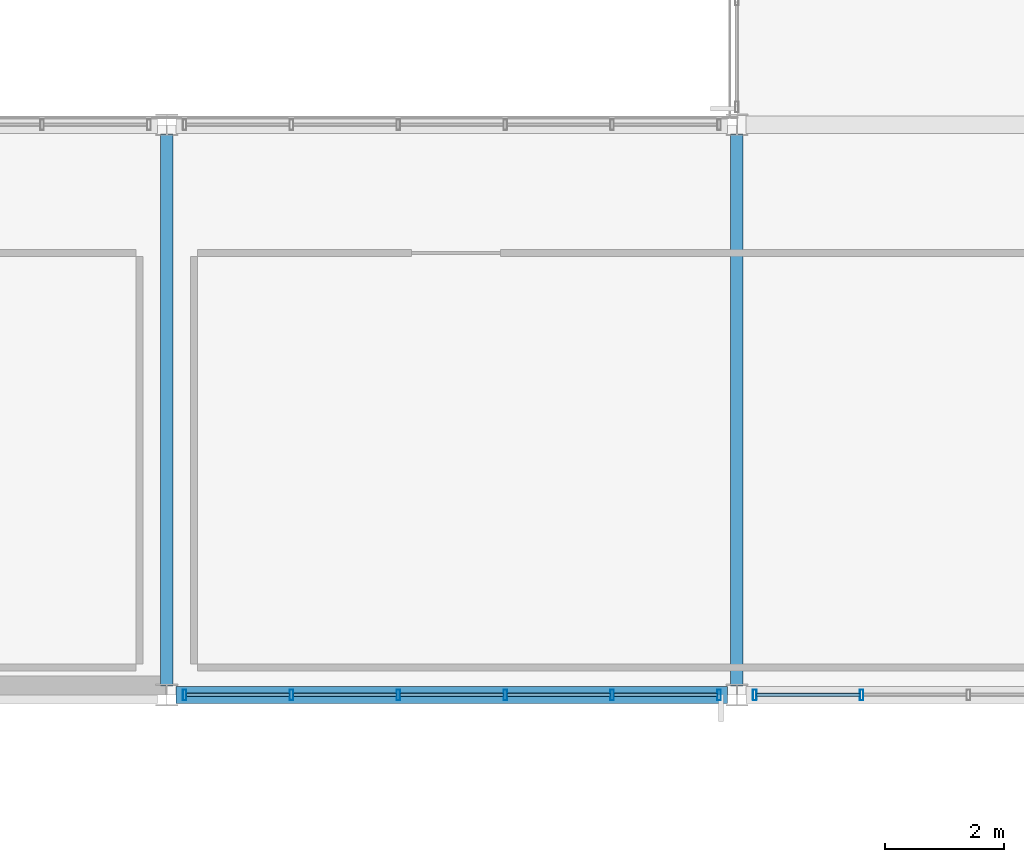
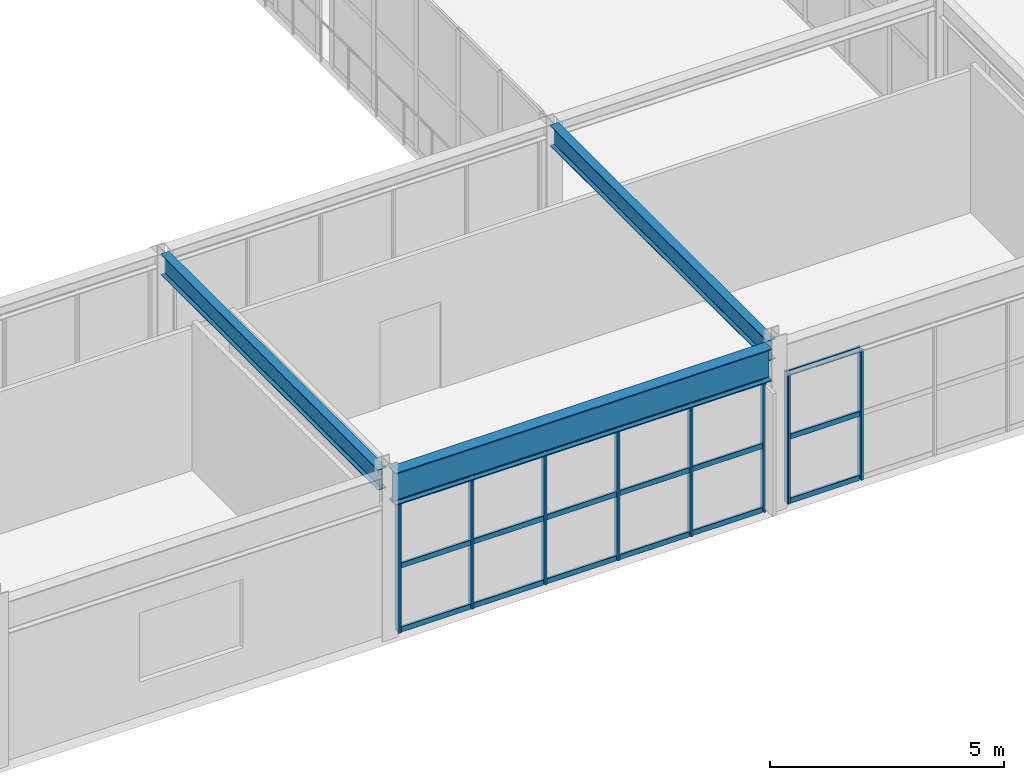
# One storey, part 76 of 170: 26 members, 3 beams, 2 elements without a shape of their own.
"""IFC4 building model written with IfcOpenShell, lengths in metres."""

from ifc_helpers import new_model, si_unit, direction, frame, origin, origin_2d, place, context, subcontext, project, spatial, hollow_rectangle, i_section, extrude, material, material_profile, profile_set, type_object, element, aggregate, save


model = new_model("IFC4")

# Units and contexts
model_context = context("Model", 3, precision=1e-05, world=origin(), true_north=direction((0.0, 1.0)))
body_context = subcontext(model_context, "Body", "Model", "MODEL_VIEW")
ifc_project = project(units=[si_unit("LENGTHUNIT", "METRE"), si_unit("AREAUNIT", "SQUARE_METRE"), si_unit("VOLUMEUNIT", "CUBIC_METRE"), si_unit("PLANEANGLEUNIT", "RADIAN"), si_unit("MASSUNIT", "GRAM", prefix="KILO")], contexts=[model_context])

# Site, building, storey
site_placement = place(None, origin())
site = spatial("IfcSite", under=ifc_project, at=site_placement, CompositionType="ELEMENT")
building_placement = place(site_placement, origin())
building = spatial("IfcBuilding", under=site, at=building_placement, Name="Coralgate Yard Interchange", CompositionType="ELEMENT")
storey_placement = place(building_placement, frame((0.0, 0.0, 6.0)))
storey = spatial("IfcBuildingStorey", under=building, at=storey_placement, Name="L01", CompositionType="ELEMENT", Elevation=6.0)

# Beams
ifc_material_1 = material(Name="Structural steel S355J2", Category="steel")
ifc_material_profile_1 = material_profile(ifc_material_1, i_section(OverallWidth=0.209228515625, OverallDepth=0.533203125, WebThickness=0.010009765625, FlangeThickness=0.015625, FilletRadius=0.0126953125, at=origin_2d()), Name="UB 533x210x92")
ifc_profile_set_1 = profile_set([ifc_material_profile_1], Name="Structural steel S355J2")
beam_type_1 = type_object("IfcBeamType", Name="BM-SB-1", PredefinedType="BEAM", material=ifc_profile_set_1)
for number, where, z_axis, x_axis, name in (
    (1, (115.199951171875, 38.55419921875, 3.9833984375), (0.0, 1.0, 0.0), (-1.0, 0.0, 0.0), "L01 primary grid girder X12 Y4-5"),
    (2, (124.800048828125, 38.55419921875, 3.9833984375), (0.0, 1.0, 0.0), (-1.0, 0.0, 0.0), "L01 primary grid girder X13 Y4-5"),
):
    element("IfcBeam", number, at=place(storey_placement, frame(where, z_axis=z_axis, x_axis=x_axis)), inside=storey, type_object=beam_type_1, Name=name, PredefinedType="BEAM", context=body_context, shape_type="SweptSolid", body=[
        extrude(i_section(OverallWidth=0.209228515625, OverallDepth=0.533203125, WebThickness=0.010009765625, FlangeThickness=0.015625, FilletRadius=0.0126953125, at=origin_2d()), origin(), (0.0, 0.0, 1.0), 9.291748046875),
    ])
ifc_material_profile_2 = material_profile(ifc_material_1, i_section(OverallWidth=0.29248046875, OverallDepth=0.8408203125, WebThickness=0.0146484375, FlangeThickness=0.021728515625, FilletRadius=0.017822265625, at=origin_2d()), Name="UB 838x292x194")
ifc_profile_set_2 = profile_set([ifc_material_profile_2], Name="Structural steel S355J2")
beam_type_2 = type_object("IfcBeamType", Name="BM-SG-2", PredefinedType="BEAM", material=ifc_profile_set_2)
beam_placement = place(storey_placement, frame((115.356201171875, 38.39990234375, 3.82958984375), z_axis=(1.0, 0.0, 0.0), x_axis=(0.0, 1.0, 0.0)))
element("IfcBeam", 3, at=beam_placement, inside=storey, type_object=beam_type_2, Name="L01 primary grid beam Y4 X12-13", PredefinedType="BEAM", context=body_context, shape_type="SweptSolid", body=[
    extrude(i_section(OverallWidth=0.29248046875, OverallDepth=0.8408203125, WebThickness=0.0146484375, FlangeThickness=0.021728515625, FilletRadius=0.017822265625, at=origin_2d()), origin(), (0.0, 0.0, 1.0), 9.28759765625),
])

# Curtain wall, members
ifc_material_2 = material(Name="Anodised coastal aluminium and solar-control low-E glass", Category="aluminium")
curtain_wall_type = type_object("IfcCurtainWallType", Name="CW-CW-L01-A", PredefinedType="NOTDEFINED", material=ifc_material_2)
curtain_wall_1_placement = place(storey_placement, origin())
curtain_wall_1 = element("IfcCurtainWall", 4, at=curtain_wall_1_placement, inside=storey, type_object=curtain_wall_type, Name="L01 unitised curtain wall CW-L01-S-12-04", PredefinedType="NOTDEFINED")
ifc_material_3 = material(Name="Anodised coastal aluminium 6063-T6", Category="aluminium")
ifc_material_profile_3 = material_profile(ifc_material_3, hollow_rectangle(XDim=0.06005859375, YDim=0.179931640625, WallThickness=0.00390625, InnerFilletRadius=0.00390625, OuterFilletRadius=0.008056640625, at=origin_2d()), Name="ALU 60x180x4")
ifc_profile_set_3 = profile_set([ifc_material_profile_3], Name="Anodised coastal aluminium 6063-T6")
member_type_1 = type_object("IfcMemberType", Name="MB-MUL-180", PredefinedType="MULLION", material=ifc_profile_set_3)
member_1_placement = place(storey_placement, frame((124.5, 38.39990234375, 0.0), z_axis=(0.0, 0.0, 1.0), x_axis=(1.0, 0.0, 0.0)))
member_1 = element("IfcMember", 5, at=member_1_placement, type_object=member_type_1, Name="CW-L01-S-12-04 vertical mullion 1", PredefinedType="MULLION", context=body_context, shape_type="SweptSolid", body=[
    extrude(hollow_rectangle(XDim=0.06005859375, YDim=0.179931640625, WallThickness=0.00390625, InnerFilletRadius=0.00390625, OuterFilletRadius=0.008056640625, at=origin_2d()), origin(), (0.0, 0.0, 1.0), 3.4091796875),
])
member_2_placement = place(storey_placement, frame((122.699951171875, 38.39990234375, 0.0), z_axis=(0.0, 0.0, 1.0), x_axis=(1.0, 0.0, 0.0)))
member_2 = element("IfcMember", 6, at=member_2_placement, type_object=member_type_1, Name="CW-L01-S-12-04 vertical mullion 2", PredefinedType="MULLION", context=body_context, shape_type="SweptSolid", body=[
    extrude(hollow_rectangle(XDim=0.06005859375, YDim=0.179931640625, WallThickness=0.00390625, InnerFilletRadius=0.00390625, OuterFilletRadius=0.008056640625, at=origin_2d()), origin(), (0.0, 0.0, 1.0), 3.4091796875),
])
member_3_placement = place(storey_placement, frame((120.89990234375, 38.39990234375, 0.0), z_axis=(0.0, 0.0, 1.0), x_axis=(1.0, 0.0, 0.0)))
member_3 = element("IfcMember", 7, at=member_3_placement, type_object=member_type_1, Name="CW-L01-S-12-04 vertical mullion 3", PredefinedType="MULLION", context=body_context, shape_type="SweptSolid", body=[
    extrude(hollow_rectangle(XDim=0.06005859375, YDim=0.179931640625, WallThickness=0.00390625, InnerFilletRadius=0.00390625, OuterFilletRadius=0.008056640625, at=origin_2d()), origin(), (0.0, 0.0, 1.0), 3.4091796875),
])
member_4_placement = place(storey_placement, frame((119.10009765625, 38.39990234375, 0.0), z_axis=(0.0, 0.0, 1.0), x_axis=(1.0, 0.0, 0.0)))
member_4 = element("IfcMember", 8, at=member_4_placement, type_object=member_type_1, Name="CW-L01-S-12-04 vertical mullion 4", PredefinedType="MULLION", context=body_context, shape_type="SweptSolid", body=[
    extrude(hollow_rectangle(XDim=0.06005859375, YDim=0.179931640625, WallThickness=0.00390625, InnerFilletRadius=0.00390625, OuterFilletRadius=0.008056640625, at=origin_2d()), origin(), (0.0, 0.0, 1.0), 3.4091796875),
])
member_5_placement = place(storey_placement, frame((117.300048828125, 38.39990234375, 0.0), z_axis=(0.0, 0.0, 1.0), x_axis=(1.0, 0.0, 0.0)))
member_5 = element("IfcMember", 9, at=member_5_placement, type_object=member_type_1, Name="CW-L01-S-12-04 vertical mullion 5", PredefinedType="MULLION", context=body_context, shape_type="SweptSolid", body=[
    extrude(hollow_rectangle(XDim=0.06005859375, YDim=0.179931640625, WallThickness=0.00390625, InnerFilletRadius=0.00390625, OuterFilletRadius=0.008056640625, at=origin_2d()), origin(), (0.0, 0.0, 1.0), 3.4091796875),
])
member_6_placement = place(storey_placement, frame((115.5, 38.39990234375, 0.0), z_axis=(0.0, 0.0, 1.0), x_axis=(1.0, 0.0, 0.0)))
member_6 = element("IfcMember", 10, at=member_6_placement, type_object=member_type_1, Name="CW-L01-S-12-04 vertical mullion 6", PredefinedType="MULLION", context=body_context, shape_type="SweptSolid", body=[
    extrude(hollow_rectangle(XDim=0.06005859375, YDim=0.179931640625, WallThickness=0.00390625, InnerFilletRadius=0.00390625, OuterFilletRadius=0.008056640625, at=origin_2d()), origin(), (0.0, 0.0, 1.0), 3.4091796875),
])

curtain_wall_2_placement = place(storey_placement, origin())
curtain_wall_2 = element("IfcCurtainWall", 11, at=curtain_wall_2_placement, inside=storey, type_object=curtain_wall_type, Name="L01 unitised curtain wall CW-L01-S-13-04", PredefinedType="NOTDEFINED")
member_7_placement = place(storey_placement, frame((126.89990234375, 38.39990234375, 0.0), z_axis=(0.0, 0.0, 1.0), x_axis=(1.0, 0.0, 0.0)))
member_7 = element("IfcMember", 12, at=member_7_placement, type_object=member_type_1, Name="CW-L01-S-13-04 vertical mullion 5", PredefinedType="MULLION", context=body_context, shape_type="SweptSolid", body=[
    extrude(hollow_rectangle(XDim=0.06005859375, YDim=0.179931640625, WallThickness=0.00390625, InnerFilletRadius=0.00390625, OuterFilletRadius=0.008056640625, at=origin_2d()), origin(), (0.0, 0.0, 1.0), 3.4091796875),
])
member_8_placement = place(storey_placement, frame((125.10009765625, 38.39990234375, 0.0), z_axis=(0.0, 0.0, 1.0), x_axis=(1.0, 0.0, 0.0)))
member_8 = element("IfcMember", 13, at=member_8_placement, type_object=member_type_1, Name="CW-L01-S-13-04 vertical mullion 6", PredefinedType="MULLION", context=body_context, shape_type="SweptSolid", body=[
    extrude(hollow_rectangle(XDim=0.06005859375, YDim=0.179931640625, WallThickness=0.00390625, InnerFilletRadius=0.00390625, OuterFilletRadius=0.008056640625, at=origin_2d()), origin(), (0.0, 0.0, 1.0), 3.4091796875),
])

# Member
ifc_material_profile_4 = material_profile(ifc_material_3, hollow_rectangle(XDim=0.06005859375, YDim=0.139892578125, WallThickness=0.00341796875, InnerFilletRadius=0.00341796875, OuterFilletRadius=0.007080078125, at=origin_2d()), Name="ALU 60x140x3.5")
ifc_profile_set_4 = profile_set([ifc_material_profile_4], Name="Anodised coastal aluminium 6063-T6")
member_type_2 = type_object("IfcMemberType", Name="MB-TRN-140", PredefinedType="USERDEFINED", material=ifc_profile_set_4)
member_9_placement = place(storey_placement, frame((124.469970703125, 38.39990234375, 0.034912109375), z_axis=(-1.0, 0.0, 0.0), x_axis=(0.0, -1.0, 0.0)))
member_9 = element("IfcMember", 14, at=member_9_placement, type_object=member_type_2, Name="CW-L01-S-12-04 horizontal transom 1-1", ObjectType="TRANSOM", PredefinedType="USERDEFINED", context=body_context, shape_type="SweptSolid", body=[
    extrude(hollow_rectangle(XDim=0.06005859375, YDim=0.139892578125, WallThickness=0.00341796875, InnerFilletRadius=0.00341796875, OuterFilletRadius=0.007080078125, at=origin_2d()), origin(), (0.0, 0.0, 1.0), 1.739990234375),
])

member_10_placement = place(storey_placement, frame((124.469970703125, 38.39990234375, 1.70458984375), z_axis=(-1.0, 0.0, 0.0), x_axis=(0.0, -1.0, 0.0)))
member_10 = element("IfcMember", 15, at=member_10_placement, type_object=member_type_2, Name="CW-L01-S-12-04 horizontal transom 1-2", ObjectType="TRANSOM", PredefinedType="USERDEFINED", context=body_context, shape_type="SweptSolid", body=[
    extrude(hollow_rectangle(XDim=0.06005859375, YDim=0.139892578125, WallThickness=0.00341796875, InnerFilletRadius=0.00341796875, OuterFilletRadius=0.007080078125, at=origin_2d()), origin(), (0.0, 0.0, 1.0), 1.739990234375),
])

member_11_placement = place(storey_placement, frame((124.469970703125, 38.39990234375, 3.374267578125), z_axis=(-1.0, 0.0, 0.0), x_axis=(0.0, -1.0, 0.0)))
member_11 = element("IfcMember", 16, at=member_11_placement, type_object=member_type_2, Name="CW-L01-S-12-04 horizontal transom 1-3", ObjectType="TRANSOM", PredefinedType="USERDEFINED", context=body_context, shape_type="SweptSolid", body=[
    extrude(hollow_rectangle(XDim=0.06005859375, YDim=0.139892578125, WallThickness=0.00341796875, InnerFilletRadius=0.00341796875, OuterFilletRadius=0.007080078125, at=origin_2d()), origin(), (0.0, 0.0, 1.0), 1.739990234375),
])

member_12_placement = place(storey_placement, frame((122.669921875, 38.39990234375, 0.034912109375), z_axis=(-1.0, 0.0, 0.0), x_axis=(0.0, -1.0, 0.0)))
member_12 = element("IfcMember", 17, at=member_12_placement, type_object=member_type_2, Name="CW-L01-S-12-04 horizontal transom 2-1", ObjectType="TRANSOM", PredefinedType="USERDEFINED", context=body_context, shape_type="SweptSolid", body=[
    extrude(hollow_rectangle(XDim=0.06005859375, YDim=0.139892578125, WallThickness=0.00341796875, InnerFilletRadius=0.00341796875, OuterFilletRadius=0.007080078125, at=origin_2d()), origin(), (0.0, 0.0, 1.0), 1.739990234375),
])

member_13_placement = place(storey_placement, frame((122.669921875, 38.39990234375, 1.70458984375), z_axis=(-1.0, 0.0, 0.0), x_axis=(0.0, -1.0, 0.0)))
member_13 = element("IfcMember", 18, at=member_13_placement, type_object=member_type_2, Name="CW-L01-S-12-04 horizontal transom 2-2", ObjectType="TRANSOM", PredefinedType="USERDEFINED", context=body_context, shape_type="SweptSolid", body=[
    extrude(hollow_rectangle(XDim=0.06005859375, YDim=0.139892578125, WallThickness=0.00341796875, InnerFilletRadius=0.00341796875, OuterFilletRadius=0.007080078125, at=origin_2d()), origin(), (0.0, 0.0, 1.0), 1.739990234375),
])

member_14_placement = place(storey_placement, frame((122.669921875, 38.39990234375, 3.374267578125), z_axis=(-1.0, 0.0, 0.0), x_axis=(0.0, -1.0, 0.0)))
member_14 = element("IfcMember", 19, at=member_14_placement, type_object=member_type_2, Name="CW-L01-S-12-04 horizontal transom 2-3", ObjectType="TRANSOM", PredefinedType="USERDEFINED", context=body_context, shape_type="SweptSolid", body=[
    extrude(hollow_rectangle(XDim=0.06005859375, YDim=0.139892578125, WallThickness=0.00341796875, InnerFilletRadius=0.00341796875, OuterFilletRadius=0.007080078125, at=origin_2d()), origin(), (0.0, 0.0, 1.0), 1.739990234375),
])

member_15_placement = place(storey_placement, frame((120.8701171875, 38.39990234375, 0.034912109375), z_axis=(-1.0, 0.0, 0.0), x_axis=(0.0, -1.0, 0.0)))
member_15 = element("IfcMember", 20, at=member_15_placement, type_object=member_type_2, Name="CW-L01-S-12-04 horizontal transom 3-1", ObjectType="TRANSOM", PredefinedType="USERDEFINED", context=body_context, shape_type="SweptSolid", body=[
    extrude(hollow_rectangle(XDim=0.06005859375, YDim=0.139892578125, WallThickness=0.00341796875, InnerFilletRadius=0.00341796875, OuterFilletRadius=0.007080078125, at=origin_2d()), origin(), (0.0, 0.0, 1.0), 1.740234375),
])

member_16_placement = place(storey_placement, frame((120.8701171875, 38.39990234375, 1.70458984375), z_axis=(-1.0, 0.0, 0.0), x_axis=(0.0, -1.0, 0.0)))
member_16 = element("IfcMember", 21, at=member_16_placement, type_object=member_type_2, Name="CW-L01-S-12-04 horizontal transom 3-2", ObjectType="TRANSOM", PredefinedType="USERDEFINED", context=body_context, shape_type="SweptSolid", body=[
    extrude(hollow_rectangle(XDim=0.06005859375, YDim=0.139892578125, WallThickness=0.00341796875, InnerFilletRadius=0.00341796875, OuterFilletRadius=0.007080078125, at=origin_2d()), origin(), (0.0, 0.0, 1.0), 1.740234375),
])

member_17_placement = place(storey_placement, frame((120.8701171875, 38.39990234375, 3.374267578125), z_axis=(-1.0, 0.0, 0.0), x_axis=(0.0, -1.0, 0.0)))
member_17 = element("IfcMember", 22, at=member_17_placement, type_object=member_type_2, Name="CW-L01-S-12-04 horizontal transom 3-3", ObjectType="TRANSOM", PredefinedType="USERDEFINED", context=body_context, shape_type="SweptSolid", body=[
    extrude(hollow_rectangle(XDim=0.06005859375, YDim=0.139892578125, WallThickness=0.00341796875, InnerFilletRadius=0.00341796875, OuterFilletRadius=0.007080078125, at=origin_2d()), origin(), (0.0, 0.0, 1.0), 1.740234375),
])

member_18_placement = place(storey_placement, frame((119.070068359375, 38.39990234375, 0.034912109375), z_axis=(-1.0, 0.0, 0.0), x_axis=(0.0, -1.0, 0.0)))
member_18 = element("IfcMember", 23, at=member_18_placement, type_object=member_type_2, Name="CW-L01-S-12-04 horizontal transom 4-1", ObjectType="TRANSOM", PredefinedType="USERDEFINED", context=body_context, shape_type="SweptSolid", body=[
    extrude(hollow_rectangle(XDim=0.06005859375, YDim=0.139892578125, WallThickness=0.00341796875, InnerFilletRadius=0.00341796875, OuterFilletRadius=0.007080078125, at=origin_2d()), origin(), (0.0, 0.0, 1.0), 1.739990234375),
])

member_19_placement = place(storey_placement, frame((119.070068359375, 38.39990234375, 1.70458984375), z_axis=(-1.0, 0.0, 0.0), x_axis=(0.0, -1.0, 0.0)))
member_19 = element("IfcMember", 24, at=member_19_placement, type_object=member_type_2, Name="CW-L01-S-12-04 horizontal transom 4-2", ObjectType="TRANSOM", PredefinedType="USERDEFINED", context=body_context, shape_type="SweptSolid", body=[
    extrude(hollow_rectangle(XDim=0.06005859375, YDim=0.139892578125, WallThickness=0.00341796875, InnerFilletRadius=0.00341796875, OuterFilletRadius=0.007080078125, at=origin_2d()), origin(), (0.0, 0.0, 1.0), 1.739990234375),
])

member_20_placement = place(storey_placement, frame((119.070068359375, 38.39990234375, 3.374267578125), z_axis=(-1.0, 0.0, 0.0), x_axis=(0.0, -1.0, 0.0)))
member_20 = element("IfcMember", 25, at=member_20_placement, type_object=member_type_2, Name="CW-L01-S-12-04 horizontal transom 4-3", ObjectType="TRANSOM", PredefinedType="USERDEFINED", context=body_context, shape_type="SweptSolid", body=[
    extrude(hollow_rectangle(XDim=0.06005859375, YDim=0.139892578125, WallThickness=0.00341796875, InnerFilletRadius=0.00341796875, OuterFilletRadius=0.007080078125, at=origin_2d()), origin(), (0.0, 0.0, 1.0), 1.739990234375),
])

member_21_placement = place(storey_placement, frame((117.27001953125, 38.39990234375, 0.034912109375), z_axis=(-1.0, 0.0, 0.0), x_axis=(0.0, -1.0, 0.0)))
member_21 = element("IfcMember", 26, at=member_21_placement, type_object=member_type_2, Name="CW-L01-S-12-04 horizontal transom 5-1", ObjectType="TRANSOM", PredefinedType="USERDEFINED", context=body_context, shape_type="SweptSolid", body=[
    extrude(hollow_rectangle(XDim=0.06005859375, YDim=0.139892578125, WallThickness=0.00341796875, InnerFilletRadius=0.00341796875, OuterFilletRadius=0.007080078125, at=origin_2d()), origin(), (0.0, 0.0, 1.0), 1.739990234375),
])

member_22_placement = place(storey_placement, frame((117.27001953125, 38.39990234375, 1.70458984375), z_axis=(-1.0, 0.0, 0.0), x_axis=(0.0, -1.0, 0.0)))
member_22 = element("IfcMember", 27, at=member_22_placement, type_object=member_type_2, Name="CW-L01-S-12-04 horizontal transom 5-2", ObjectType="TRANSOM", PredefinedType="USERDEFINED", context=body_context, shape_type="SweptSolid", body=[
    extrude(hollow_rectangle(XDim=0.06005859375, YDim=0.139892578125, WallThickness=0.00341796875, InnerFilletRadius=0.00341796875, OuterFilletRadius=0.007080078125, at=origin_2d()), origin(), (0.0, 0.0, 1.0), 1.739990234375),
])

member_23_placement = place(storey_placement, frame((117.27001953125, 38.39990234375, 3.374267578125), z_axis=(-1.0, 0.0, 0.0), x_axis=(0.0, -1.0, 0.0)))
member_23 = element("IfcMember", 28, at=member_23_placement, type_object=member_type_2, Name="CW-L01-S-12-04 horizontal transom 5-3", ObjectType="TRANSOM", PredefinedType="USERDEFINED", context=body_context, shape_type="SweptSolid", body=[
    extrude(hollow_rectangle(XDim=0.06005859375, YDim=0.139892578125, WallThickness=0.00341796875, InnerFilletRadius=0.00341796875, OuterFilletRadius=0.007080078125, at=origin_2d()), origin(), (0.0, 0.0, 1.0), 1.739990234375),
])

aggregate(curtain_wall_1, [member_1, member_2, member_3, member_4, member_5, member_6, member_9, member_10, member_11, member_12, member_13, member_14, member_15, member_16, member_17, member_18, member_19, member_20, member_21, member_22, member_23])

member_24_placement = place(storey_placement, frame((126.8701171875, 38.39990234375, 0.034912109375), z_axis=(-1.0, 0.0, 0.0), x_axis=(0.0, -1.0, 0.0)))
member_24 = element("IfcMember", 29, at=member_24_placement, type_object=member_type_2, Name="CW-L01-S-13-04 horizontal transom 5-1", ObjectType="TRANSOM", PredefinedType="USERDEFINED", context=body_context, shape_type="SweptSolid", body=[
    extrude(hollow_rectangle(XDim=0.06005859375, YDim=0.139892578125, WallThickness=0.00341796875, InnerFilletRadius=0.00341796875, OuterFilletRadius=0.007080078125, at=origin_2d()), origin(), (0.0, 0.0, 1.0), 1.740234375),
])

member_25_placement = place(storey_placement, frame((126.8701171875, 38.39990234375, 1.70458984375), z_axis=(-1.0, 0.0, 0.0), x_axis=(0.0, -1.0, 0.0)))
member_25 = element("IfcMember", 30, at=member_25_placement, type_object=member_type_2, Name="CW-L01-S-13-04 horizontal transom 5-2", ObjectType="TRANSOM", PredefinedType="USERDEFINED", context=body_context, shape_type="SweptSolid", body=[
    extrude(hollow_rectangle(XDim=0.06005859375, YDim=0.139892578125, WallThickness=0.00341796875, InnerFilletRadius=0.00341796875, OuterFilletRadius=0.007080078125, at=origin_2d()), origin(), (0.0, 0.0, 1.0), 1.740234375),
])

member_26_placement = place(storey_placement, frame((126.8701171875, 38.39990234375, 3.374267578125), z_axis=(-1.0, 0.0, 0.0), x_axis=(0.0, -1.0, 0.0)))
member_26 = element("IfcMember", 31, at=member_26_placement, type_object=member_type_2, Name="CW-L01-S-13-04 horizontal transom 5-3", ObjectType="TRANSOM", PredefinedType="USERDEFINED", context=body_context, shape_type="SweptSolid", body=[
    extrude(hollow_rectangle(XDim=0.06005859375, YDim=0.139892578125, WallThickness=0.00341796875, InnerFilletRadius=0.00341796875, OuterFilletRadius=0.007080078125, at=origin_2d()), origin(), (0.0, 0.0, 1.0), 1.740234375),
])

aggregate(curtain_wall_2, [member_7, member_8, member_24, member_25, member_26])

save(model, "model.ifc")
